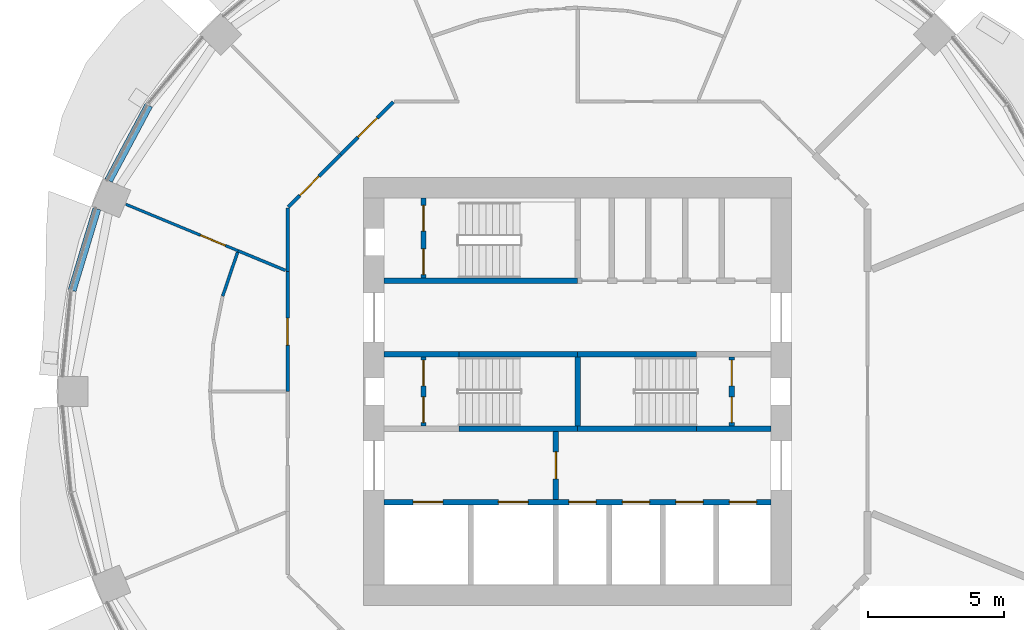
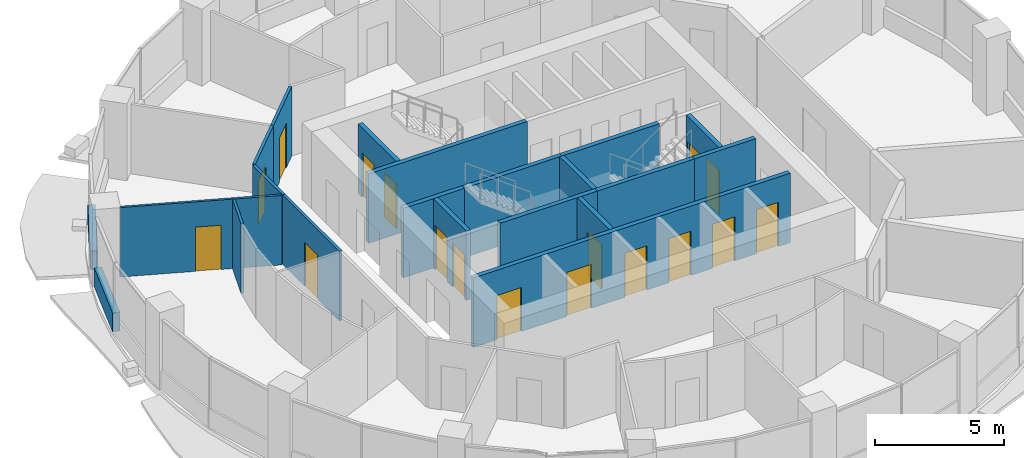
# One storey, part 8 of 14: 22 walls, 17 doors, 17 openings.
"""IFC4 building model written with IfcOpenShell, lengths in metres."""

from ifc_helpers import new_model, si_unit, direction, frame, frame_2d, origin, place, context, subcontext, project, spatial, rectangle, extrude, material, layer, layer_set, type_object, element, fill, save


model = new_model("IFC4")

# Units and contexts
model_context = context("Model", 3, precision=1e-05, world=origin(), true_north=direction((0.0, 1.0)))
body_context = subcontext(model_context, "Body", "Model", "MODEL_VIEW")
ifc_project = project(units=[si_unit("LENGTHUNIT", "METRE"), si_unit("AREAUNIT", "SQUARE_METRE"), si_unit("VOLUMEUNIT", "CUBIC_METRE"), si_unit("PLANEANGLEUNIT", "RADIAN"), si_unit("MASSUNIT", "GRAM", prefix="KILO")], contexts=[model_context])

# Site, building, storey
site_placement = place(None, origin())
site = spatial("IfcSite", under=ifc_project, at=site_placement, CompositionType="ELEMENT")
building_placement = place(site_placement, origin())
building = spatial("IfcBuilding", under=site, at=building_placement, Name="Polderwave Tower", CompositionType="ELEMENT")
storey_placement = place(building_placement, frame((0.0, 0.0, 105.60009765625)))
storey = spatial("IfcBuildingStorey", under=building, at=storey_placement, Name="L27", CompositionType="ELEMENT", Elevation=105.60009765625)

# Walls
ifc_material_1 = material(Name="Concrete C50/60 (board-marked)", Category="concrete")
ifc_layer_1 = layer(ifc_material_1, 0.300048828125)
ifc_layer_set_1 = layer_set([ifc_layer_1], Name="Concrete spandrel upstand C50/60")
wall_type_1 = type_object("IfcWallType", Name="Concrete spandrel upstand C50/60", PredefinedType="SOLIDWALL", material=ifc_layer_set_1)
wall_1_placement = place(storey_placement, frame((-15.7880859375, 10.53173828125, 0.0), z_axis=(0.0, 0.0, 1.0), x_axis=(-0.471375185282, -0.88193278355, 0.0)))
element("IfcWall", 1, at=wall_1_placement, inside=storey, type_object=wall_type_1, Name="Spandrel L27 7b", PredefinedType="SOLIDWALL", context=body_context, shape_type="SweptSolid", body=[
    extrude(rectangle(XDim=3.13916015625, YDim=0.300048828125, at=frame_2d((1.569580078125, 0.0))), origin(), (0.0, 0.0, 1.0), 0.89990234375),
])
wall_2_placement = place(storey_placement, frame((-17.699462890625, 6.7216796875, 0.0), z_axis=(0.0, 0.0, 1.0), x_axis=(-0.290214584271, -0.956961595403, 0.0)))
element("IfcWall", 2, at=wall_2_placement, inside=storey, type_object=wall_type_1, Name="Spandrel L27 8a", PredefinedType="SOLIDWALL", context=body_context, shape_type="SweptSolid", body=[
    extrude(rectangle(XDim=3.139404296875, YDim=0.300048828125, at=frame_2d((1.56982421875, 0.0))), origin(), (0.0, 0.0, 1.0), 0.89990234375),
])

# Wall, opening, door
ifc_material_2 = material(Name="Gypsum board partition")
ifc_layer_2 = layer(ifc_material_2, 0.199951171875)
ifc_layer_set_2 = layer_set([ifc_layer_2], Name="Core room partition 200")
wall_type_2 = type_object("IfcWallType", Name="Core room partition 200", PredefinedType="PARTITIONING", material=ifc_layer_set_2)
wall_3_placement = place(storey_placement, frame((-0.800048828125, -3.97412109375, 0.0), z_axis=(0.0, 0.0, 1.0), x_axis=(0.0, 1.0, 0.0)))
wall_3 = element("IfcWall", 3, at=wall_3_placement, inside=storey, type_object=wall_type_2, Name="L27 fire-fighting lobby wall", PredefinedType="PARTITIONING", context=body_context, shape_type="SweptSolid", body=[
    extrude(rectangle(XDim=2.4990234375, YDim=0.199951171875, at=frame_2d((1.24951171875, 0.0))), origin(), (0.0, 0.0, 1.0), 3.2998046875),
])
opening_1_placement = place(wall_3_placement, frame((0.74951171875, 0.0, 0.0)))
opening_1 = element("IfcOpeningElement", 4, at=opening_1_placement, cuts=wall_3, Name="Opening L27-D13", PredefinedType="OPENING", context=body_context, shape_type="SweptSolid", body=[
    extrude(rectangle(XDim=1.0, YDim=2.10009765625, at=frame_2d((0.5, 1.050048828125))), frame((0.0, 0.10986328125, 0.0), z_axis=(0.0, -1.0, 0.0), x_axis=(1.0, 0.0, 0.0)), (0.0, 0.0, 1.0), 0.219970703125),
])
ifc_material_3 = material(Name="Steel fire door", Category="steel")
door_type_1 = type_object("IfcDoorType", Name="Lobby fire door 1000", OperationType="NOTDEFINED", PredefinedType="DOOR", material=ifc_material_3)
door_1_placement = place(opening_1_placement, frame((1.0, 0.0, 0.0), z_axis=(0.0, 0.0, 1.0), x_axis=(-1.0, 0.0, 0.0)))
door_1 = element("IfcDoor", 5, at=door_1_placement, inside=storey, type_object=door_type_1, Name="Fire-fighting lobby door", OperationType="SINGLE_SWING_LEFT", OverallHeight=2.10009765625, OverallWidth=1.0, PredefinedType="DOOR", context=body_context, shape_type="SweptSolid", body=[
    extrude(rectangle(XDim=1.0, YDim=2.10009765625, at=frame_2d((0.5, 1.050048828125))), frame((0.0, 0.02490234375, 0.0), z_axis=(0.0, -1.0, 0.0), x_axis=(1.0, 0.0, 0.0)), (0.0, 0.0, 1.0), 0.050048828125),
])
fill(opening_1, door_1)

# Wall, openings, doors
wall_4_placement = place(storey_placement, frame((-5.674072265625, -1.27490234375, 0.0), z_axis=(0.0, 0.0, 1.0), x_axis=(0.0, 1.0, 0.0)))
wall_4 = element("IfcWall", 6, at=wall_4_placement, inside=storey, type_object=wall_type_2, Name="L27 smoke lobby wall A", PredefinedType="PARTITIONING", context=body_context, shape_type="SweptSolid", body=[
    extrude(rectangle(XDim=2.5498046875, YDim=0.199951171875, at=frame_2d((1.27490234375, 0.0))), origin(), (0.0, 0.0, 1.0), 3.2998046875),
])
opening_2_placement = place(wall_4_placement, frame((0.125, 0.0, 0.0)))
opening_2 = element("IfcOpeningElement", 7, at=opening_2_placement, cuts=wall_4, Name="Opening L27-D07", PredefinedType="OPENING", context=body_context, shape_type="SweptSolid", body=[
    extrude(rectangle(XDim=0.949951171875, YDim=2.10009765625, at=frame_2d((0.47509765625, 1.050048828125))), frame((0.0, 0.10986328125, 0.0), z_axis=(0.0, -1.0, 0.0), x_axis=(1.0, 0.0, 0.0)), (0.0, 0.0, 1.0), 0.219970703125),
])
opening_3_placement = place(wall_4_placement, frame((1.47509765625, 0.0, 0.0)))
opening_3 = element("IfcOpeningElement", 8, at=opening_3_placement, cuts=wall_4, Name="Opening L27-D08", PredefinedType="OPENING", context=body_context, shape_type="SweptSolid", body=[
    extrude(rectangle(XDim=0.949951171875, YDim=2.10009765625, at=frame_2d((0.47509765625, 1.050048828125))), frame((0.0, 0.10986328125, 0.0), z_axis=(0.0, -1.0, 0.0), x_axis=(1.0, 0.0, 0.0)), (0.0, 0.0, 1.0), 0.219970703125),
])
door_type_2 = type_object("IfcDoorType", Name="Smoke lobby door 950", OperationType="NOTDEFINED", PredefinedType="DOOR", material=ifc_material_3)
door_2_placement = place(opening_2_placement, origin())
door_2 = element("IfcDoor", 9, at=door_2_placement, inside=storey, type_object=door_type_2, Name="Stair A smoke lobby inner door", OperationType="SINGLE_SWING_LEFT", OverallHeight=2.10009765625, OverallWidth=0.949951171875, PredefinedType="DOOR", context=body_context, shape_type="SweptSolid", body=[
    extrude(rectangle(XDim=0.949951171875, YDim=2.10009765625, at=frame_2d((0.47509765625, 1.050048828125))), frame((0.0, 0.02490234375, 0.0), z_axis=(0.0, -1.0, 0.0), x_axis=(1.0, 0.0, 0.0)), (0.0, 0.0, 1.0), 0.050048828125),
])
fill(opening_2, door_2)
door_3_placement = place(opening_3_placement, origin())
door_3 = element("IfcDoor", 10, at=door_3_placement, inside=storey, type_object=door_type_2, Name="Stair A smoke lobby inner door", OperationType="SINGLE_SWING_RIGHT", OverallHeight=2.10009765625, OverallWidth=0.949951171875, PredefinedType="DOOR", context=body_context, shape_type="SweptSolid", body=[
    extrude(rectangle(XDim=0.949951171875, YDim=2.10009765625, at=frame_2d((0.47509765625, 1.050048828125))), frame((0.0, 0.02490234375, 0.0), z_axis=(0.0, -1.0, 0.0), x_axis=(1.0, 0.0, 0.0)), (0.0, 0.0, 1.0), 0.050048828125),
])
fill(opening_3, door_3)

wall_5_placement = place(storey_placement, frame((5.674072265625, -1.27490234375, 0.0), z_axis=(0.0, 0.0, 1.0), x_axis=(0.0, 1.0, 0.0)))
wall_5 = element("IfcWall", 11, at=wall_5_placement, inside=storey, type_object=wall_type_2, Name="L27 smoke lobby wall B", PredefinedType="PARTITIONING", context=body_context, shape_type="SweptSolid", body=[
    extrude(rectangle(XDim=2.5498046875, YDim=0.199951171875, at=frame_2d((1.27490234375, 0.0))), origin(), (0.0, 0.0, 1.0), 3.2998046875),
])
opening_4_placement = place(wall_5_placement, frame((0.125, 0.0, 0.0)))
opening_4 = element("IfcOpeningElement", 12, at=opening_4_placement, cuts=wall_5, Name="Opening L27-D09", PredefinedType="OPENING", context=body_context, shape_type="SweptSolid", body=[
    extrude(rectangle(XDim=0.949951171875, YDim=2.10009765625, at=frame_2d((0.47509765625, 1.050048828125))), frame((0.0, 0.10986328125, 0.0), z_axis=(0.0, -1.0, 0.0), x_axis=(1.0, 0.0, 0.0)), (0.0, 0.0, 1.0), 0.219970703125),
])
opening_5_placement = place(wall_5_placement, frame((1.47509765625, 0.0, 0.0)))
opening_5 = element("IfcOpeningElement", 13, at=opening_5_placement, cuts=wall_5, Name="Opening L27-D10", PredefinedType="OPENING", context=body_context, shape_type="SweptSolid", body=[
    extrude(rectangle(XDim=0.949951171875, YDim=2.10009765625, at=frame_2d((0.47509765625, 1.050048828125))), frame((0.0, 0.10986328125, 0.0), z_axis=(0.0, -1.0, 0.0), x_axis=(1.0, 0.0, 0.0)), (0.0, 0.0, 1.0), 0.219970703125),
])
door_4_placement = place(opening_4_placement, frame((0.949951171875, 0.0, 0.0), z_axis=(0.0, 0.0, 1.0), x_axis=(-1.0, 0.0, 0.0)))
door_4 = element("IfcDoor", 14, at=door_4_placement, inside=storey, type_object=door_type_2, Name="Stair B smoke lobby inner door", OperationType="SINGLE_SWING_RIGHT", OverallHeight=2.10009765625, OverallWidth=0.949951171875, PredefinedType="DOOR", context=body_context, shape_type="SweptSolid", body=[
    extrude(rectangle(XDim=0.949951171875, YDim=2.10009765625, at=frame_2d((0.47509765625, 1.050048828125))), frame((0.0, 0.02490234375, 0.0), z_axis=(0.0, -1.0, 0.0), x_axis=(1.0, 0.0, 0.0)), (0.0, 0.0, 1.0), 0.050048828125),
])
fill(opening_4, door_4)
door_5_placement = place(opening_5_placement, frame((0.949951171875, 0.0, 0.0), z_axis=(0.0, 0.0, 1.0), x_axis=(-1.0, 0.0, 0.0)))
door_5 = element("IfcDoor", 15, at=door_5_placement, inside=storey, type_object=door_type_2, Name="Stair B smoke lobby inner door", OperationType="SINGLE_SWING_LEFT", OverallHeight=2.10009765625, OverallWidth=0.949951171875, PredefinedType="DOOR", context=body_context, shape_type="SweptSolid", body=[
    extrude(rectangle(XDim=0.949951171875, YDim=2.10009765625, at=frame_2d((0.47509765625, 1.050048828125))), frame((0.0, 0.02490234375, 0.0), z_axis=(0.0, -1.0, 0.0), x_axis=(1.0, 0.0, 0.0)), (0.0, 0.0, 1.0), 0.050048828125),
])
fill(opening_5, door_5)

wall_6_placement = place(storey_placement, frame((-5.674072265625, 4.174072265625, 0.0), z_axis=(0.0, 0.0, 1.0), x_axis=(0.0, 1.0, 0.0)))
wall_6 = element("IfcWall", 16, at=wall_6_placement, inside=storey, type_object=wall_type_2, Name="L27 smoke lobby wall C", PredefinedType="PARTITIONING", context=body_context, shape_type="SweptSolid", body=[
    extrude(rectangle(XDim=2.949951171875, YDim=0.199951171875, at=frame_2d((1.47509765625, 0.0))), origin(), (0.0, 0.0, 1.0), 3.2998046875),
])
opening_6_placement = place(wall_6_placement, frame((0.125, 0.0, 0.0)))
opening_6 = element("IfcOpeningElement", 17, at=opening_6_placement, cuts=wall_6, Name="Opening L27-D11", PredefinedType="OPENING", context=body_context, shape_type="SweptSolid", body=[
    extrude(rectangle(XDim=0.949951171875, YDim=2.10009765625, at=frame_2d((0.47509765625, 1.050048828125))), frame((0.0, 0.10986328125, 0.0), z_axis=(0.0, -1.0, 0.0), x_axis=(1.0, 0.0, 0.0)), (0.0, 0.0, 1.0), 0.219970703125),
])
opening_7_placement = place(wall_6_placement, frame((1.72509765625, 0.0, 0.0)))
opening_7 = element("IfcOpeningElement", 18, at=opening_7_placement, cuts=wall_6, Name="Opening L27-D12", PredefinedType="OPENING", context=body_context, shape_type="SweptSolid", body=[
    extrude(rectangle(XDim=0.949951171875, YDim=2.10009765625, at=frame_2d((0.47509765625, 1.050048828125))), frame((0.0, 0.10986328125, 0.0), z_axis=(0.0, -1.0, 0.0), x_axis=(1.0, 0.0, 0.0)), (0.0, 0.0, 1.0), 0.219970703125),
])
door_6_placement = place(opening_6_placement, origin())
door_6 = element("IfcDoor", 19, at=door_6_placement, inside=storey, type_object=door_type_2, Name="Stair C smoke lobby inner door", OperationType="SINGLE_SWING_LEFT", OverallHeight=2.10009765625, OverallWidth=0.949951171875, PredefinedType="DOOR", context=body_context, shape_type="SweptSolid", body=[
    extrude(rectangle(XDim=0.949951171875, YDim=2.10009765625, at=frame_2d((0.47509765625, 1.050048828125))), frame((0.0, 0.02490234375, 0.0), z_axis=(0.0, -1.0, 0.0), x_axis=(1.0, 0.0, 0.0)), (0.0, 0.0, 1.0), 0.050048828125),
])
fill(opening_6, door_6)
door_7_placement = place(opening_7_placement, origin())
door_7 = element("IfcDoor", 20, at=door_7_placement, inside=storey, type_object=door_type_2, Name="Stair C smoke lobby inner door", OperationType="SINGLE_SWING_RIGHT", OverallHeight=2.10009765625, OverallWidth=0.949951171875, PredefinedType="DOOR", context=body_context, shape_type="SweptSolid", body=[
    extrude(rectangle(XDim=0.949951171875, YDim=2.10009765625, at=frame_2d((0.47509765625, 1.050048828125))), frame((0.0, 0.02490234375, 0.0), z_axis=(0.0, -1.0, 0.0), x_axis=(1.0, 0.0, 0.0)), (0.0, 0.0, 1.0), 0.050048828125),
])
fill(opening_7, door_7)

ifc_material_4 = material(Name="Concrete C50/60", Category="concrete")
ifc_layer_3 = layer(ifc_material_4, 0.199951171875)
ifc_layer_set_3 = layer_set([ifc_layer_3], Name="Core web wall 200")
wall_type_3 = type_object("IfcWallType", Name="Core web wall 200", PredefinedType="SHEAR", material=ifc_layer_set_3)
wall_7_placement = place(storey_placement, frame((-7.1240234375, -4.073974609375, 0.0), z_axis=(0.0, 0.0, 1.0), x_axis=(1.0, 0.0, 0.0)))
wall_7 = element("IfcWall", 21, at=wall_7_placement, inside=storey, type_object=wall_type_3, Name="L27 south front wall", PredefinedType="SHEAR", context=body_context, shape_type="SweptSolid", body=[
    extrude(rectangle(XDim=14.248046875, YDim=0.199951171875, at=frame_2d((7.1240234375, 0.0))), origin(), (0.0, 0.0, 1.0), 3.2998046875),
])
opening_8_placement = place(wall_7_placement, frame((1.068603515625, 0.0, 0.0)))
opening_8 = element("IfcOpeningElement", 22, at=opening_8_placement, cuts=wall_7, Name="Opening L27-D01", PredefinedType="OPENING", context=body_context, shape_type="SweptSolid", body=[
    extrude(rectangle(XDim=1.10009765625, YDim=2.10009765625, at=frame_2d((0.550048828125, 1.050048828125))), frame((0.0, 0.10986328125, 0.0), z_axis=(0.0, -1.0, 0.0), x_axis=(1.0, 0.0, 0.0)), (0.0, 0.0, 1.0), 0.219970703125),
])
opening_9_placement = place(wall_7_placement, frame((4.20556640625, 0.0, 0.0)))
opening_9 = element("IfcOpeningElement", 23, at=opening_9_placement, cuts=wall_7, Name="Opening L27-D02", PredefinedType="OPENING", context=body_context, shape_type="SweptSolid", body=[
    extrude(rectangle(XDim=1.10009765625, YDim=2.10009765625, at=frame_2d((0.550048828125, 1.050048828125))), frame((0.0, 0.10986328125, 0.0), z_axis=(0.0, -1.0, 0.0), x_axis=(1.0, 0.0, 0.0)), (0.0, 0.0, 1.0), 0.219970703125),
])
opening_10_placement = place(wall_7_placement, frame((6.80810546875, 0.0, 0.0)))
opening_10 = element("IfcOpeningElement", 24, at=opening_10_placement, cuts=wall_7, Name="Opening L27-D03", PredefinedType="OPENING", context=body_context, shape_type="SweptSolid", body=[
    extrude(rectangle(XDim=1.0, YDim=2.10009765625, at=frame_2d((0.5, 1.050048828125))), frame((0.0, 0.10986328125, 0.0), z_axis=(0.0, -1.0, 0.0), x_axis=(1.0, 0.0, 0.0)), (0.0, 0.0, 1.0), 0.219970703125),
])
opening_11_placement = place(wall_7_placement, frame((8.776611328125, 0.0, 0.0)))
opening_11 = element("IfcOpeningElement", 25, at=opening_11_placement, cuts=wall_7, Name="Opening L27-D04", PredefinedType="OPENING", context=body_context, shape_type="SweptSolid", body=[
    extrude(rectangle(XDim=1.0, YDim=2.10009765625, at=frame_2d((0.5, 1.050048828125))), frame((0.0, 0.10986328125, 0.0), z_axis=(0.0, -1.0, 0.0), x_axis=(1.0, 0.0, 0.0)), (0.0, 0.0, 1.0), 0.219970703125),
])
opening_12_placement = place(wall_7_placement, frame((10.7451171875, 0.0, 0.0)))
opening_12 = element("IfcOpeningElement", 26, at=opening_12_placement, cuts=wall_7, Name="Opening L27-D05", PredefinedType="OPENING", context=body_context, shape_type="SweptSolid", body=[
    extrude(rectangle(XDim=1.0, YDim=2.10009765625, at=frame_2d((0.5, 1.050048828125))), frame((0.0, 0.10986328125, 0.0), z_axis=(0.0, -1.0, 0.0), x_axis=(1.0, 0.0, 0.0)), (0.0, 0.0, 1.0), 0.219970703125),
])
opening_13_placement = place(wall_7_placement, frame((12.7138671875, 0.0, 0.0)))
opening_13 = element("IfcOpeningElement", 27, at=opening_13_placement, cuts=wall_7, Name="Opening L27-D06", PredefinedType="OPENING", context=body_context, shape_type="SweptSolid", body=[
    extrude(rectangle(XDim=1.0, YDim=2.10009765625, at=frame_2d((0.5, 1.050048828125))), frame((0.0, 0.10986328125, 0.0), z_axis=(0.0, -1.0, 0.0), x_axis=(1.0, 0.0, 0.0)), (0.0, 0.0, 1.0), 0.219970703125),
])
ifc_material_5 = material(Name="Stainless steel", Category="steel")
door_type_3 = type_object("IfcDoorType", Name="Fire-fighting lift landing door 1100", OperationType="DOUBLE_DOOR_SLIDING", PredefinedType="DOOR", material=ifc_material_5)
door_8_placement = place(opening_8_placement, origin())
door_8 = element("IfcDoor", 28, at=door_8_placement, inside=storey, type_object=door_type_3, Name="Fire-fighting lift FF1 landing door", OperationType="DOUBLE_DOOR_SLIDING", OverallHeight=2.10009765625, OverallWidth=1.10009765625, PredefinedType="DOOR", context=body_context, shape_type="SweptSolid", body=[
    extrude(rectangle(XDim=1.10009765625, YDim=2.10009765625, at=frame_2d((0.550048828125, 1.050048828125))), frame((0.0, 0.02490234375, 0.0), z_axis=(0.0, -1.0, 0.0), x_axis=(1.0, 0.0, 0.0)), (0.0, 0.0, 1.0), 0.050048828125),
])
fill(opening_8, door_8)
door_9_placement = place(opening_9_placement, origin())
door_9 = element("IfcDoor", 29, at=door_9_placement, inside=storey, type_object=door_type_3, Name="Fire-fighting lift FF2 landing door", OperationType="DOUBLE_DOOR_SLIDING", OverallHeight=2.10009765625, OverallWidth=1.10009765625, PredefinedType="DOOR", context=body_context, shape_type="SweptSolid", body=[
    extrude(rectangle(XDim=1.10009765625, YDim=2.10009765625, at=frame_2d((0.550048828125, 1.050048828125))), frame((0.0, 0.02490234375, 0.0), z_axis=(0.0, -1.0, 0.0), x_axis=(1.0, 0.0, 0.0)), (0.0, 0.0, 1.0), 0.050048828125),
])
fill(opening_9, door_9)
door_type_4 = type_object("IfcDoorType", Name="Lift landing door 1000", OperationType="DOUBLE_DOOR_SLIDING", PredefinedType="DOOR", material=ifc_material_5)
door_10_placement = place(opening_10_placement, origin())
door_10 = element("IfcDoor", 30, at=door_10_placement, inside=storey, type_object=door_type_4, Name="Lift LL1 landing door", OperationType="DOUBLE_DOOR_SLIDING", OverallHeight=2.10009765625, OverallWidth=1.0, PredefinedType="DOOR", context=body_context, shape_type="SweptSolid", body=[
    extrude(rectangle(XDim=1.0, YDim=2.10009765625, at=frame_2d((0.5, 1.050048828125))), frame((0.0, 0.02490234375, 0.0), z_axis=(0.0, -1.0, 0.0), x_axis=(1.0, 0.0, 0.0)), (0.0, 0.0, 1.0), 0.050048828125),
])
fill(opening_10, door_10)
door_11_placement = place(opening_11_placement, origin())
door_11 = element("IfcDoor", 31, at=door_11_placement, inside=storey, type_object=door_type_4, Name="Lift LL2 landing door", OperationType="DOUBLE_DOOR_SLIDING", OverallHeight=2.10009765625, OverallWidth=1.0, PredefinedType="DOOR", context=body_context, shape_type="SweptSolid", body=[
    extrude(rectangle(XDim=1.0, YDim=2.10009765625, at=frame_2d((0.5, 1.050048828125))), frame((0.0, 0.02490234375, 0.0), z_axis=(0.0, -1.0, 0.0), x_axis=(1.0, 0.0, 0.0)), (0.0, 0.0, 1.0), 0.050048828125),
])
fill(opening_11, door_11)
door_12_placement = place(opening_12_placement, origin())
door_12 = element("IfcDoor", 32, at=door_12_placement, inside=storey, type_object=door_type_4, Name="Lift LL3 landing door", OperationType="DOUBLE_DOOR_SLIDING", OverallHeight=2.10009765625, OverallWidth=1.0, PredefinedType="DOOR", context=body_context, shape_type="SweptSolid", body=[
    extrude(rectangle(XDim=1.0, YDim=2.10009765625, at=frame_2d((0.5, 1.050048828125))), frame((0.0, 0.02490234375, 0.0), z_axis=(0.0, -1.0, 0.0), x_axis=(1.0, 0.0, 0.0)), (0.0, 0.0, 1.0), 0.050048828125),
])
fill(opening_12, door_12)
door_13_placement = place(opening_13_placement, origin())
door_13 = element("IfcDoor", 33, at=door_13_placement, inside=storey, type_object=door_type_4, Name="Lift LL4 landing door", OperationType="DOUBLE_DOOR_SLIDING", OverallHeight=2.10009765625, OverallWidth=1.0, PredefinedType="DOOR", context=body_context, shape_type="SweptSolid", body=[
    extrude(rectangle(XDim=1.0, YDim=2.10009765625, at=frame_2d((0.5, 1.050048828125))), frame((0.0, 0.02490234375, 0.0), z_axis=(0.0, -1.0, 0.0), x_axis=(1.0, 0.0, 0.0)), (0.0, 0.0, 1.0), 0.050048828125),
])
fill(opening_13, door_13)

# Walls
wall_8_placement = place(storey_placement, frame((-7.1240234375, 4.073974609375, 0.0), z_axis=(0.0, 0.0, 1.0), x_axis=(1.0, 0.0, 0.0)))
element("IfcWall", 34, at=wall_8_placement, inside=storey, type_object=wall_type_3, Name="L27 north front wall 1", PredefinedType="SHEAR", context=body_context, shape_type="SweptSolid", body=[
    extrude(rectangle(XDim=7.1240234375, YDim=0.199951171875, at=frame_2d((3.56201171875, 0.0))), origin(), (0.0, 0.0, 1.0), 3.2998046875),
])
for number, where, z_axis, x_axis, name in (
    (35, (-4.3740234375, -1.375, 0.0), (0.0, 0.0, 1.0), (1.0, 0.0, 0.0), "L27 south stair wall 2"),
    (36, (0.0, -1.375, 0.0), (0.0, 0.0, 1.0), (1.0, 0.0, 0.0), "L27 south stair wall 3"),
):
    element("IfcWall", number, at=place(storey_placement, frame(where, z_axis=z_axis, x_axis=x_axis)), inside=storey, type_object=wall_type_3, Name=name, PredefinedType="SHEAR", context=body_context, shape_type="SweptSolid", body=[
        extrude(rectangle(XDim=4.3740234375, YDim=0.199951171875, at=frame_2d((2.18701171875, 0.0))), origin(), (0.0, 0.0, 1.0), 3.2998046875),
    ])
for number, where, z_axis, x_axis, name in (
    (37, (4.3740234375, -1.375, 0.0), (0.0, 0.0, 1.0), (1.0, 0.0, 0.0), "L27 south stair wall 4"),
    (38, (-7.1240234375, 1.375, 0.0), (0.0, 0.0, 1.0), (1.0, 0.0, 0.0), "L27 north stair wall 1"),
):
    element("IfcWall", number, at=place(storey_placement, frame(where, z_axis=z_axis, x_axis=x_axis)), inside=storey, type_object=wall_type_3, Name=name, PredefinedType="SHEAR", context=body_context, shape_type="SweptSolid", body=[
        extrude(rectangle(XDim=2.75, YDim=0.199951171875, at=frame_2d((1.375, 0.0))), origin(), (0.0, 0.0, 1.0), 3.2998046875),
    ])
for number, where, z_axis, x_axis, name in (
    (39, (-4.3740234375, 1.375, 0.0), (0.0, 0.0, 1.0), (1.0, 0.0, 0.0), "L27 north stair wall 2"),
    (40, (0.0, 1.375, 0.0), (0.0, 0.0, 1.0), (1.0, 0.0, 0.0), "L27 north stair wall 3"),
):
    element("IfcWall", number, at=place(storey_placement, frame(where, z_axis=z_axis, x_axis=x_axis)), inside=storey, type_object=wall_type_3, Name=name, PredefinedType="SHEAR", context=body_context, shape_type="SweptSolid", body=[
        extrude(rectangle(XDim=4.3740234375, YDim=0.199951171875, at=frame_2d((2.18701171875, 0.0))), origin(), (0.0, 0.0, 1.0), 3.2998046875),
    ])
wall_9_placement = place(storey_placement, frame((0.0, -1.27490234375, 0.0), z_axis=(0.0, 0.0, 1.0), x_axis=(0.0, 1.0, 0.0)))
element("IfcWall", 41, at=wall_9_placement, inside=storey, type_object=wall_type_3, Name="L27 wall between the stairs", PredefinedType="SHEAR", context=body_context, shape_type="SweptSolid", body=[
    extrude(rectangle(XDim=2.5498046875, YDim=0.199951171875, at=frame_2d((1.27490234375, 0.0))), origin(), (0.0, 0.0, 1.0), 3.2998046875),
])

# Wall, opening, door
ifc_material_6 = material(Name="Fire-resisting board on steel studs", Category="steel")
ifc_layer_4 = layer(ifc_material_6, 0.125)
ifc_layer_set_4 = layer_set([ifc_layer_4], Name="Corridor wall 125 mm EI 60")
wall_type_4 = type_object("IfcWallType", Name="Corridor wall 125 mm EI 60", PredefinedType="PARTITIONING", material=ifc_layer_set_4)
wall_10_placement = place(storey_placement, frame((-8.722412109375, 8.722412109375, 0.0), z_axis=(0.0, 0.0, 1.0), x_axis=(0.707062130741, 0.707151428813, 0.0)))
wall_10 = element("IfcWall", 42, at=wall_10_placement, inside=storey, type_object=wall_type_4, Name="IN-L27-W009", PredefinedType="PARTITIONING", context=body_context, shape_type="SweptSolid", body=[
    extrude(rectangle(XDim=2.73388671875, YDim=0.125, at=frame_2d((1.366943359375, 0.0))), origin(), (0.0, 0.0, 1.0), 3.2998046875),
])
opening_14_placement = place(wall_10_placement, frame((0.89990234375, 0.0, 0.0)))
opening_14 = element("IfcOpeningElement", 43, at=opening_14_placement, cuts=wall_10, Name="Opening L27-D55", PredefinedType="OPENING", context=body_context, shape_type="SweptSolid", body=[
    extrude(rectangle(XDim=1.0, YDim=2.10009765625, at=frame_2d((0.5, 1.050048828125))), frame((0.0, 0.072509765625, 0.0), z_axis=(0.0, -1.0, 0.0), x_axis=(1.0, 0.0, 0.0)), (0.0, 0.0, 1.0), 0.14501953125),
])
ifc_material_7 = material(Name="Timber fire door leaf", Category="wood")
door_type_5 = type_object("IfcDoorType", Name="Fire door FD30S 1000 x 2100", OperationType="NOTDEFINED", PredefinedType="DOOR", material=ifc_material_7)
door_14_placement = place(opening_14_placement, origin())
door_14 = element("IfcDoor", 44, at=door_14_placement, inside=storey, type_object=door_type_5, Name="Door L27-D55", OperationType="SINGLE_SWING_RIGHT", OverallHeight=2.10009765625, OverallWidth=1.0, PredefinedType="DOOR", context=body_context, shape_type="SweptSolid", body=[
    extrude(rectangle(XDim=1.0, YDim=2.10009765625, at=frame_2d((0.5, 1.050048828125))), frame((0.0, 0.02490234375, 0.0), z_axis=(0.0, -1.0, 0.0), x_axis=(1.0, 0.0, 0.0)), (0.0, 0.0, 1.0), 0.050048828125),
])
fill(opening_14, door_14)

# Wall
wall_11_placement = place(storey_placement, frame((-10.674072265625, 4.42138671875, 0.0), z_axis=(0.0, 0.0, 1.0), x_axis=(0.0, 1.0, 0.0)))
element("IfcWall", 45, at=wall_11_placement, inside=storey, type_object=wall_type_4, Name="IN-L27-W011", PredefinedType="PARTITIONING", context=body_context, shape_type="SweptSolid", body=[
    extrude(rectangle(XDim=2.32373046875, YDim=0.125, at=frame_2d((1.161865234375, 0.0))), origin(), (0.0, 0.0, 1.0), 3.2998046875),
])

# Wall, opening, door
wall_12_placement = place(storey_placement, frame((-10.65576171875, 6.789306640625, 0.0), z_axis=(0.0, 0.0, 1.0), x_axis=(0.707151428813, 0.707062130741, 0.0)))
wall_12 = element("IfcWall", 46, at=wall_12_placement, inside=storey, type_object=wall_type_4, Name="IN-L27-W012", PredefinedType="PARTITIONING", context=body_context, shape_type="SweptSolid", body=[
    extrude(rectangle(XDim=2.73388671875, YDim=0.125, at=frame_2d((1.366943359375, 0.0))), origin(), (0.0, 0.0, 1.0), 3.2998046875),
])
opening_15_placement = place(wall_12_placement, frame((0.60009765625, 0.0, 0.0)))
opening_15 = element("IfcOpeningElement", 47, at=opening_15_placement, cuts=wall_12, Name="Opening L27-D56", PredefinedType="OPENING", context=body_context, shape_type="SweptSolid", body=[
    extrude(rectangle(XDim=1.0, YDim=2.10009765625, at=frame_2d((0.5, 1.050048828125))), frame((0.0, 0.072509765625, 0.0), z_axis=(0.0, -1.0, 0.0), x_axis=(1.0, 0.0, 0.0)), (0.0, 0.0, 1.0), 0.14501953125),
])
door_15_placement = place(opening_15_placement, origin())
door_15 = element("IfcDoor", 48, at=door_15_placement, inside=storey, type_object=door_type_5, Name="Door L27-D56", OperationType="SINGLE_SWING_LEFT", OverallHeight=2.10009765625, OverallWidth=1.0, PredefinedType="DOOR", context=body_context, shape_type="SweptSolid", body=[
    extrude(rectangle(XDim=1.0, YDim=2.10009765625, at=frame_2d((0.5, 1.050048828125))), frame((0.0, 0.02490234375, 0.0), z_axis=(0.0, -1.0, 0.0), x_axis=(1.0, 0.0, 0.0)), (0.0, 0.0, 1.0), 0.050048828125),
])
fill(opening_15, door_15)

wall_13_placement = place(storey_placement, frame((-10.674072265625, 0.0, 0.0), z_axis=(0.0, 0.0, 1.0), x_axis=(0.0, 1.0, 0.0)))
wall_13 = element("IfcWall", 49, at=wall_13_placement, inside=storey, type_object=wall_type_4, Name="IN-L27-W013", PredefinedType="PARTITIONING", context=body_context, shape_type="SweptSolid", body=[
    extrude(rectangle(XDim=4.42138671875, YDim=0.125, at=frame_2d((2.210693359375, 0.0))), origin(), (0.0, 0.0, 1.0), 3.2998046875),
])
opening_16_placement = place(wall_13_placement, frame((1.699951171875, 0.0, 0.0)))
opening_16 = element("IfcOpeningElement", 50, at=opening_16_placement, cuts=wall_13, Name="Opening L27-D57", PredefinedType="OPENING", context=body_context, shape_type="SweptSolid", body=[
    extrude(rectangle(XDim=1.0, YDim=2.10009765625, at=frame_2d((0.5, 1.050048828125))), frame((0.0, 0.072509765625, 0.0), z_axis=(0.0, -1.0, 0.0), x_axis=(1.0, 0.0, 0.0)), (0.0, 0.0, 1.0), 0.14501953125),
])
door_16_placement = place(opening_16_placement, origin())
door_16 = element("IfcDoor", 51, at=door_16_placement, inside=storey, type_object=door_type_5, Name="Door L27-D57", OperationType="SINGLE_SWING_LEFT", OverallHeight=2.10009765625, OverallWidth=1.0, PredefinedType="DOOR", context=body_context, shape_type="SweptSolid", body=[
    extrude(rectangle(XDim=1.0, YDim=2.10009765625, at=frame_2d((0.5, 1.050048828125))), frame((0.0, 0.02490234375, 0.0), z_axis=(0.0, -1.0, 0.0), x_axis=(1.0, 0.0, 0.0)), (0.0, 0.0, 1.0), 0.050048828125),
])
fill(opening_16, door_16)

ifc_material_8 = material(Name="Plasterboard on steel studs", Category="steel")
ifc_layer_5 = layer(ifc_material_8, 0.10009765625)
ifc_layer_set_5 = layer_set([ifc_layer_5], Name="Partition 100 mm plasterboard on steel studs")
wall_type_5 = type_object("IfcWallType", Name="Partition 100 mm plasterboard on steel studs", PredefinedType="PARTITIONING", material=ifc_layer_set_5)
wall_14_placement = place(storey_placement, frame((-12.5, 5.177734375, 0.0), z_axis=(0.0, 0.0, 1.0), x_axis=(-0.923895686767, 0.382644430213, 0.0)))
wall_14 = element("IfcWall", 52, at=wall_14_placement, inside=storey, type_object=wall_type_5, Name="IN-L27-W038", PredefinedType="PARTITIONING", context=body_context, shape_type="SweptSolid", body=[
    extrude(rectangle(XDim=4.469970703125, YDim=0.10009765625, at=frame_2d((2.23486328125, 0.0))), origin(), (0.0, 0.0, 1.0), 3.2998046875),
])
opening_17_placement = place(wall_14_placement, frame((0.5, 0.0, 0.0)))
opening_17 = element("IfcOpeningElement", 53, at=opening_17_placement, cuts=wall_14, Name="Opening L27-D64", PredefinedType="OPENING", context=body_context, shape_type="SweptSolid", body=[
    extrude(rectangle(XDim=1.0, YDim=2.10009765625, at=frame_2d((0.5, 1.050048828125))), frame((0.0, 0.06005859375, 0.0), z_axis=(0.0, -1.0, 0.0), x_axis=(1.0, 0.0, 0.0)), (0.0, 0.0, 1.0), 0.1201171875),
])
ifc_material_9 = material(Name="Timber veneer door leaf", Category="wood")
door_type_6 = type_object("IfcDoorType", Name="Single door 1000 x 2100", OperationType="NOTDEFINED", PredefinedType="DOOR", material=ifc_material_9)
door_17_placement = place(opening_17_placement, origin())
door_17 = element("IfcDoor", 54, at=door_17_placement, inside=storey, type_object=door_type_6, Name="Door L27-D64", OperationType="SINGLE_SWING_LEFT", OverallHeight=2.10009765625, OverallWidth=1.0, PredefinedType="DOOR", context=body_context, shape_type="SweptSolid", body=[
    extrude(rectangle(XDim=1.0, YDim=2.10009765625, at=frame_2d((0.5, 1.050048828125))), frame((0.0, 0.02490234375, 0.0), z_axis=(0.0, -1.0, 0.0), x_axis=(1.0, 0.0, 0.0)), (0.0, 0.0, 1.0), 0.050048828125),
])
fill(opening_17, door_17)

# Walls
ifc_material_10 = material(Name="Acoustic double plasterboard on steel studs", Category="steel")
ifc_layer_6 = layer(ifc_material_10, 0.110107421875)
ifc_layer_set_6 = layer_set([ifc_layer_6], Name="Partition 110 mm acoustic double board")
wall_type_6 = type_object("IfcWallType", Name="Partition 110 mm acoustic double board", PredefinedType="PARTITIONING", material=ifc_layer_set_6)
wall_15_placement = place(storey_placement, frame((-10.757568359375, 4.455810546875, 0.0), z_axis=(0.0, 0.0, 1.0), x_axis=(-0.923844847366, 0.382767158983, 0.0)))
element("IfcWall", 55, at=wall_15_placement, inside=storey, type_object=wall_type_6, Name="IN-L27-W037", PredefinedType="PARTITIONING", context=body_context, shape_type="SweptSolid", body=[
    extrude(rectangle(XDim=1.885986328125, YDim=0.110107421875, at=frame_2d((0.94287109375, 0.0))), origin(), (0.0, 0.0, 1.0), 3.2998046875),
])
wall_16_placement = place(storey_placement, frame((-13.06787109375, 3.505126953125, 0.0), z_axis=(0.0, 0.0, 1.0), x_axis=(0.321413111924, 0.946939074853, 0.0)))
element("IfcWall", 56, at=wall_16_placement, inside=storey, type_object=wall_type_6, Name="IN-L27-W041", PredefinedType="PARTITIONING", context=body_context, shape_type="SweptSolid", body=[
    extrude(rectangle(XDim=1.70751953125, YDim=0.110107421875, at=frame_2d((0.853759765625, 0.0))), origin(), (0.0, 0.0, 1.0), 3.2998046875),
])

save(model, "model.ifc")
